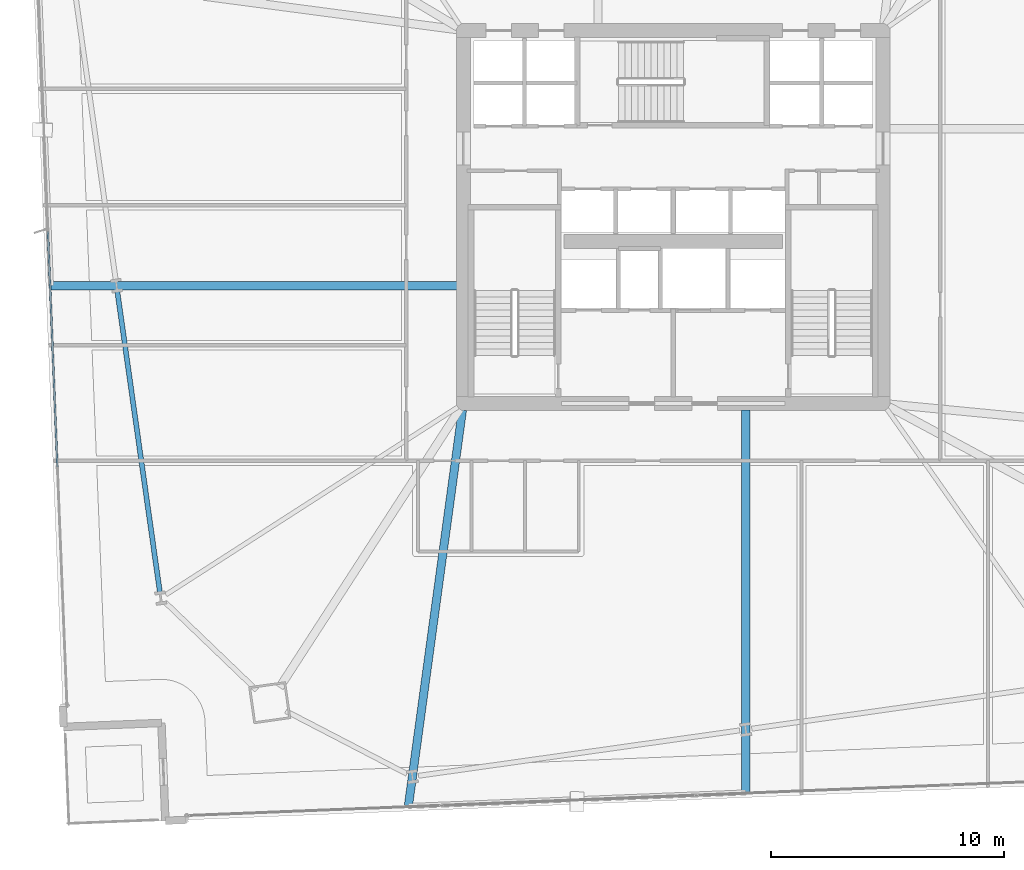
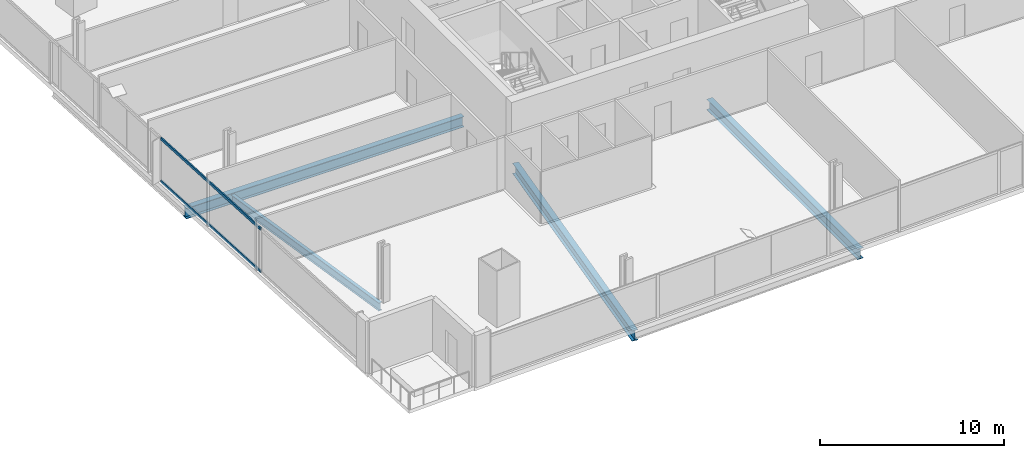
# One storey, part 6 of 32: 4 beams, 2 members, 1 element without a shape of its own.
"""IFC4 building model written with IfcOpenShell, lengths in metres."""

from ifc_helpers import new_model, si_unit, direction, frame, origin, origin_2d, place, context, subcontext, project, spatial, hollow_rectangle, i_section, extrude, material, material_profile, profile_set, type_object, element, aggregate, save


model = new_model("IFC4")

# Units and contexts
model_context = context("Model", 3, precision=1e-05, world=origin(), true_north=direction((0.0, 1.0)))
body_context = subcontext(model_context, "Body", "Model", "MODEL_VIEW")
ifc_project = project(units=[si_unit("LENGTHUNIT", "METRE"), si_unit("AREAUNIT", "SQUARE_METRE"), si_unit("VOLUMEUNIT", "CUBIC_METRE"), si_unit("PLANEANGLEUNIT", "RADIAN"), si_unit("MASSUNIT", "GRAM", prefix="KILO")], contexts=[model_context])

# Site, building, storey
site_placement = place(None, origin())
site = spatial("IfcSite", under=ifc_project, at=site_placement, CompositionType="ELEMENT")
building_placement = place(site_placement, origin())
building = spatial("IfcBuilding", under=site, at=building_placement, Name="Haldenkirk Collegiate Tower", CompositionType="ELEMENT")
storey_placement = place(building_placement, frame((0.0, 0.0, 36.449951171875)))
storey = spatial("IfcBuildingStorey", under=building, at=storey_placement, Name="L07", CompositionType="ELEMENT", Elevation=36.449951171875)

# Beams
ifc_material_1 = material(Name="Steel ASTM A992 Grade 50", Category="steel")
ifc_material_profile_1 = material_profile(ifc_material_1, i_section(OverallWidth=0.35498046875, OverallDepth=0.696044921875, WebThickness=0.015380859375, FlangeThickness=0.02490234375, at=origin_2d()), Name="W27X146")
ifc_profile_set_1 = profile_set([ifc_material_profile_1], Name="Steel ASTM A992 Grade 50")
beam_type_1 = type_object("IfcBeamType", Name="BM-GIRDER-W27X146", PredefinedType="BEAM", material=ifc_profile_set_1)
beam_1_placement = place(storey_placement, frame((24.64404296875, 0.743896484375, -0.657958984375), z_axis=(0.13527532403, 0.990808047358, 0.0), x_axis=(-0.990808047358, 0.13527532403, 0.0)))
element("IfcBeam", 1, at=beam_1_placement, inside=storey, type_object=beam_type_1, Name="L07 primary floor girder 05", PredefinedType="BEAM", context=body_context, shape_type="SweptSolid", body=[
    extrude(i_section(OverallWidth=0.35498046875, OverallDepth=0.696044921875, WebThickness=0.015380859375, FlangeThickness=0.02490234375, at=origin_2d()), origin(), (0.0, 0.0, 1.0), 17.13623046875),
])
beam_2_placement = place(storey_placement, frame((39.10888671875, 1.32470703125, -0.657958984375), z_axis=(0.0, 1.0, 0.0), x_axis=(-1.0, 0.0, 0.0)))
element("IfcBeam", 2, at=beam_2_placement, inside=storey, type_object=beam_type_1, Name="L07 primary floor girder 06", PredefinedType="BEAM", context=body_context, shape_type="SweptSolid", body=[
    extrude(i_section(OverallWidth=0.35498046875, OverallDepth=0.696044921875, WebThickness=0.015380859375, FlangeThickness=0.02490234375, at=origin_2d()), origin(), (0.0, 0.0, 1.0), 16.395263671875),
])
beam_3_placement = place(storey_placement, frame((9.31689453125, 23.052978515625, -0.657958984375), z_axis=(1.0, 0.0, 0.0), x_axis=(0.0, 1.0, 0.0)))
element("IfcBeam", 3, at=beam_3_placement, inside=storey, type_object=beam_type_1, Name="L07 primary floor girder 15", PredefinedType="BEAM", context=body_context, shape_type="SweptSolid", body=[
    extrude(i_section(OverallWidth=0.35498046875, OverallDepth=0.696044921875, WebThickness=0.015380859375, FlangeThickness=0.02490234375, at=origin_2d()), origin(), (0.0, 0.0, 1.0), 17.403076171875),
])
ifc_material_profile_2 = material_profile(ifc_material_1, i_section(OverallWidth=0.2119140625, OverallDepth=0.5439453125, WebThickness=0.01318359375, FlangeThickness=0.021240234375, at=origin_2d()), Name="W21X83")
ifc_profile_set_2 = profile_set([ifc_material_profile_2], Name="Steel ASTM A992 Grade 50")
beam_type_2 = type_object("IfcBeamType", Name="BM-SPANDREL-W21X83", PredefinedType="SPANDREL", material=ifc_profile_set_2)
beam_4_placement = place(storey_placement, frame((12.16455078125, 22.791015625, -0.58203125), z_axis=(0.140043508171, -0.990145350855, 0.0), x_axis=(0.990145350855, 0.140043508171, 0.0)))
element("IfcBeam", 4, at=beam_4_placement, inside=storey, type_object=beam_type_2, Name="L07 perimeter spandrel beam 15", PredefinedType="SPANDREL", context=body_context, shape_type="SweptSolid", body=[
    extrude(i_section(OverallWidth=0.2119140625, OverallDepth=0.5439453125, WebThickness=0.01318359375, FlangeThickness=0.021240234375, at=origin_2d()), origin(), (0.0, 0.0, 1.0), 13.0),
])

# Curtain wall, members
ifc_material_2 = material(Name="Anodised architectural bronze aluminium", Category="aluminium")
curtain_wall_type = type_object("IfcCurtainWallType", Name="CW-SYS1-CONVEX-LOW", PredefinedType="USERDEFINED", material=ifc_material_2)
curtain_wall_placement = place(storey_placement, origin())
curtain_wall = element("IfcCurtainWall", 5, at=curtain_wall_placement, inside=storey, type_object=curtain_wall_type, Name="L07 Lower tower convex bronze-framed unitised curtain wall", ObjectType="UNITISED CURTAIN WALL", PredefinedType="USERDEFINED")
ifc_material_profile_3 = material_profile(ifc_material_2, hollow_rectangle(XDim=0.080078125, YDim=0.179931640625, WallThickness=0.0048828125, at=origin_2d()), Name="CW-TRN-1A")
ifc_profile_set_3 = profile_set([ifc_material_profile_3], Name="Anodised architectural bronze aluminium")
member_type = type_object("IfcMemberType", Name="CW-TRN-1A", PredefinedType="USERDEFINED", material=ifc_profile_set_3)
member_1_placement = place(storey_placement, frame((9.58935546875, 15.271484375, 0.0400390625), z_axis=(-0.040143384486, 0.999193929466, 0.0), x_axis=(-0.999193929466, -0.040143384486, 0.0)))
member_1 = element("IfcMember", 6, at=member_1_placement, type_object=member_type, Name="CW-1A transom 2.1", ObjectType="TRANSOM", PredefinedType="USERDEFINED", context=body_context, shape_type="SweptSolid", body=[
    extrude(hollow_rectangle(XDim=0.080078125, YDim=0.179931640625, WallThickness=0.0048828125, at=origin_2d()), origin(), (0.0, 0.0, 1.0), 10.119873046875),
])
member_2_placement = place(storey_placement, frame((9.58935546875, 15.271484375, 2.85107421875), z_axis=(-0.040143384486, 0.999193929466, 0.0), x_axis=(-0.999193929466, -0.040143384486, 0.0)))
member_2 = element("IfcMember", 7, at=member_2_placement, type_object=member_type, Name="CW-1A transom 2.2", ObjectType="TRANSOM", PredefinedType="USERDEFINED", context=body_context, shape_type="SweptSolid", body=[
    extrude(hollow_rectangle(XDim=0.080078125, YDim=0.179931640625, WallThickness=0.0048828125, at=origin_2d()), origin(), (0.0, 0.0, 1.0), 10.119873046875),
])
aggregate(curtain_wall, [member_1, member_2])

save(model, "model.ifc")
